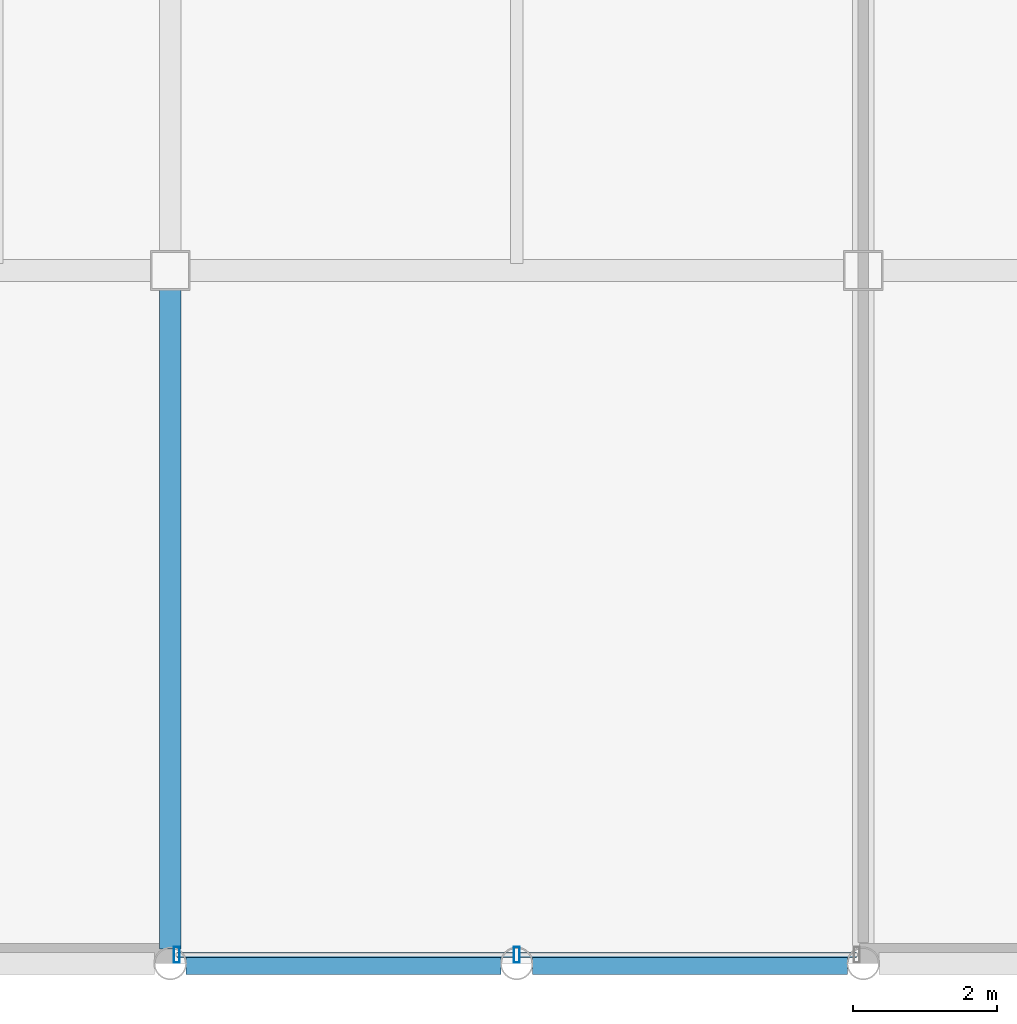
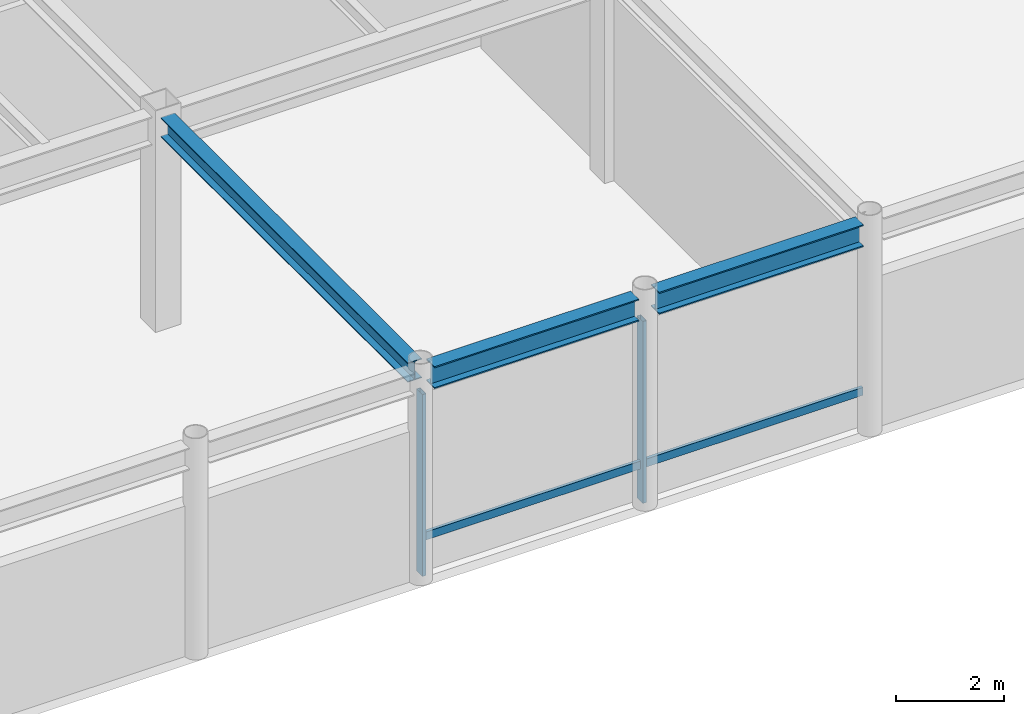
# One storey, part 5 of 21: 4 members, 3 beams, 1 element without a shape of its own.
"""IFC4 building model written with IfcOpenShell, lengths in metres."""

from ifc_helpers import new_model, si_unit, direction, frame, origin, origin_2d, place, context, subcontext, project, spatial, hollow_rectangle, i_section, extrude, material, layer, layer_set, material_profile, profile_set, type_object, element, aggregate, save


model = new_model("IFC4")

# Units and contexts
model_context = context("Model", 3, precision=1e-05, world=origin(), true_north=direction((0.0, 1.0)))
body_context = subcontext(model_context, "Body", "Model", "MODEL_VIEW")
ifc_project = project(units=[si_unit("LENGTHUNIT", "METRE"), si_unit("AREAUNIT", "SQUARE_METRE"), si_unit("VOLUMEUNIT", "CUBIC_METRE"), si_unit("PLANEANGLEUNIT", "RADIAN"), si_unit("MASSUNIT", "GRAM", prefix="KILO")], contexts=[model_context])

# Site, building, storey
site_placement = place(None, origin())
site = spatial("IfcSite", under=ifc_project, at=site_placement, CompositionType="ELEMENT")
building_placement = place(site_placement, origin())
building = spatial("IfcBuilding", under=site, at=building_placement, Name="Kallvorn Hotel Tower", CompositionType="ELEMENT")
storey_placement = place(building_placement, frame((0.0, 0.0, 295.60009765625)))
storey = spatial("IfcBuildingStorey", under=building, at=storey_placement, Name="L73", CompositionType="ELEMENT", Elevation=295.60009765625)

# Beams
ifc_material_1 = material(Name="Structural steel S355JR", Category="steel")
ifc_material_profile_1 = material_profile(ifc_material_1, i_section(OverallWidth=0.300048828125, OverallDepth=0.43994140625, WebThickness=0.011474609375, FlangeThickness=0.02099609375, at=origin_2d()), Name="HE 450 A")
ifc_profile_set_1 = profile_set([ifc_material_profile_1], Name="Structural steel S355JR")
beam_type_1 = type_object("IfcBeamType", Name="BM_HE450A", PredefinedType="BEAM", material=ifc_profile_set_1)
beam_placement = place(storey_placement, frame((-4.800048828125, -23.79638671875, 4.579833984375), z_axis=(0.0, 1.0, 0.0), x_axis=(-1.0, 0.0, 0.0)))
element("IfcBeam", 1, at=beam_placement, inside=storey, type_object=beam_type_1, Name="L74 Primary Y-Girder 37", PredefinedType="BEAM", context=body_context, shape_type="SweptSolid", body=[
    extrude(i_section(OverallWidth=0.300048828125, OverallDepth=0.43994140625, WebThickness=0.011474609375, FlangeThickness=0.02099609375, at=origin_2d()), origin(), (0.0, 0.0, 1.0), 9.146484375),
])
ifc_material_2 = material(Name="Structural steel S355JR", Category="steel")
ifc_material_profile_2 = material_profile(ifc_material_2, i_section(OverallWidth=0.300048828125, OverallDepth=0.5, WebThickness=0.014404296875, FlangeThickness=0.028076171875, at=origin_2d()), Name="HE 500 B")
ifc_profile_set_2 = profile_set([ifc_material_profile_2], Name="Structural steel S355JR")
beam_type_2 = type_object("IfcBeamType", Name="BM_HE500B", PredefinedType="SPANDREL", material=ifc_profile_set_2)
for number, where, z_axis, x_axis, name in (
    (2, (-4.58154296875, -24.0, 4.5498046875), (1.0, 0.0, 0.0), (0.0, 1.0, 0.0), "L74 Perimeter Spandrel 58"),
    (3, (0.218505859375, -24.0, 4.5498046875), (1.0, 0.0, 0.0), (0.0, 1.0, 0.0), "L74 Perimeter Spandrel 59"),
):
    element("IfcBeam", number, at=place(storey_placement, frame(where, z_axis=z_axis, x_axis=x_axis)), inside=storey, type_object=beam_type_2, Name=name, PredefinedType="SPANDREL", context=body_context, shape_type="SweptSolid", body=[
        extrude(i_section(OverallWidth=0.300048828125, OverallDepth=0.5, WebThickness=0.014404296875, FlangeThickness=0.028076171875, at=origin_2d()), origin(), (0.0, 0.0, 1.0), 4.363037109375),
    ])

# Curtain wall, members
ifc_material_3 = material(Name="Thermally broken black-anodised aluminium AA 6063-T6", Category="aluminium")
ifc_layer = layer(ifc_material_3, 0.25)
ifc_layer_set = layer_set([ifc_layer], Name="CW_SYS_6_SUMMIT_OBS")
curtain_wall_type = type_object("IfcCurtainWallType", Name="CW_SYS_6_SUMMIT_OBS", PredefinedType="USERDEFINED", material=ifc_layer_set)
curtain_wall_placement = place(storey_placement, origin())
curtain_wall = element("IfcCurtainWall", 4, at=curtain_wall_placement, inside=storey, type_object=curtain_wall_type, Name="L73 Dark-Glass Curtain Wall CW-L73-SC", ObjectType="UNITISED CURTAIN WALL", PredefinedType="USERDEFINED")
ifc_material_4 = material(Name="Thermally broken black-anodised aluminium AA 6063-T6", Category="aluminium")
ifc_material_profile_3 = material_profile(ifc_material_4, hollow_rectangle(XDim=0.080078125, YDim=0.219970703125, WallThickness=0.0048828125, at=origin_2d()), Name="MUL 220x80")
ifc_profile_set_3 = profile_set([ifc_material_profile_3], Name="Thermally broken black-anodised aluminium AA 6063-T6")
member_type_1 = type_object("IfcMemberType", Name="CW_MULLION_220x80", PredefinedType="MULLION", material=ifc_profile_set_3)
member_1_placement = place(storey_placement, frame((-4.7099609375, -23.8798828125, 0.02001953125), z_axis=(0.0, 0.0, 1.0), x_axis=(1.0, 0.0, 0.0)))
member_1 = element("IfcMember", 5, at=member_1_placement, type_object=member_type_1, Name="CW-L73-SC Mullion 00", PredefinedType="MULLION", context=body_context, shape_type="SweptSolid", body=[
    extrude(hollow_rectangle(XDim=0.080078125, YDim=0.219970703125, WallThickness=0.0048828125, at=origin_2d()), origin(), (0.0, 0.0, 1.0), 4.10986328125),
])
member_2_placement = place(storey_placement, frame((0.0, -23.8798828125, 0.02001953125), z_axis=(0.0, 0.0, 1.0), x_axis=(1.0, 0.0, 0.0)))
member_2 = element("IfcMember", 6, at=member_2_placement, type_object=member_type_1, Name="CW-L73-SC Mullion 01", PredefinedType="MULLION", context=body_context, shape_type="SweptSolid", body=[
    extrude(hollow_rectangle(XDim=0.080078125, YDim=0.219970703125, WallThickness=0.0048828125, at=origin_2d()), origin(), (0.0, 0.0, 1.0), 4.10986328125),
])
ifc_material_5 = material(Name="Thermally broken black-anodised aluminium AA 6063-T6", Category="aluminium")
ifc_material_profile_4 = material_profile(ifc_material_5, hollow_rectangle(XDim=0.070068359375, YDim=0.179931640625, WallThickness=0.00390625, at=origin_2d()), Name="TRN 180x70")
ifc_profile_set_4 = profile_set([ifc_material_profile_4], Name="Thermally broken black-anodised aluminium AA 6063-T6")
member_type_2 = type_object("IfcMemberType", Name="CW_TRANSOM_180x70", PredefinedType="USERDEFINED", material=ifc_profile_set_4)
member_3_placement = place(storey_placement, frame((-4.7099609375, -23.8798828125, 0.849853515625), z_axis=(1.0, 0.0, 0.0), x_axis=(0.0, 1.0, 0.0)))
member_3 = element("IfcMember", 7, at=member_3_placement, type_object=member_type_2, Name="CW-L73-SC Transom 00M", ObjectType="TRANSOM", PredefinedType="USERDEFINED", context=body_context, shape_type="SweptSolid", body=[
    extrude(hollow_rectangle(XDim=0.070068359375, YDim=0.179931640625, WallThickness=0.00390625, at=origin_2d()), origin(), (0.0, 0.0, 1.0), 4.669921875),
])
member_4_placement = place(storey_placement, frame((0.0400390625, -23.8798828125, 0.849853515625), z_axis=(1.0, 0.0, 0.0), x_axis=(0.0, 1.0, 0.0)))
member_4 = element("IfcMember", 8, at=member_4_placement, type_object=member_type_2, Name="CW-L73-SC Transom 01M", ObjectType="TRANSOM", PredefinedType="USERDEFINED", context=body_context, shape_type="SweptSolid", body=[
    extrude(hollow_rectangle(XDim=0.070068359375, YDim=0.179931640625, WallThickness=0.00390625, at=origin_2d()), origin(), (0.0, 0.0, 1.0), 4.669921875),
])
aggregate(curtain_wall, [member_1, member_2, member_3, member_4])

save(model, "model.ifc")
